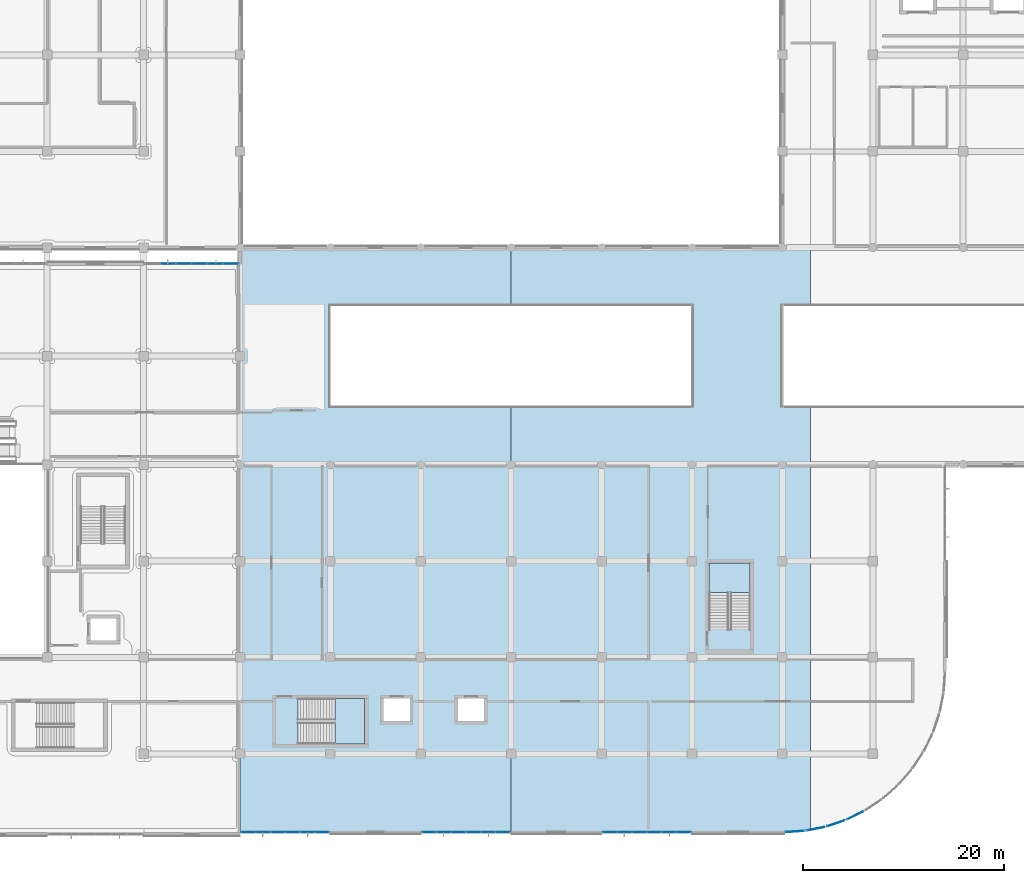
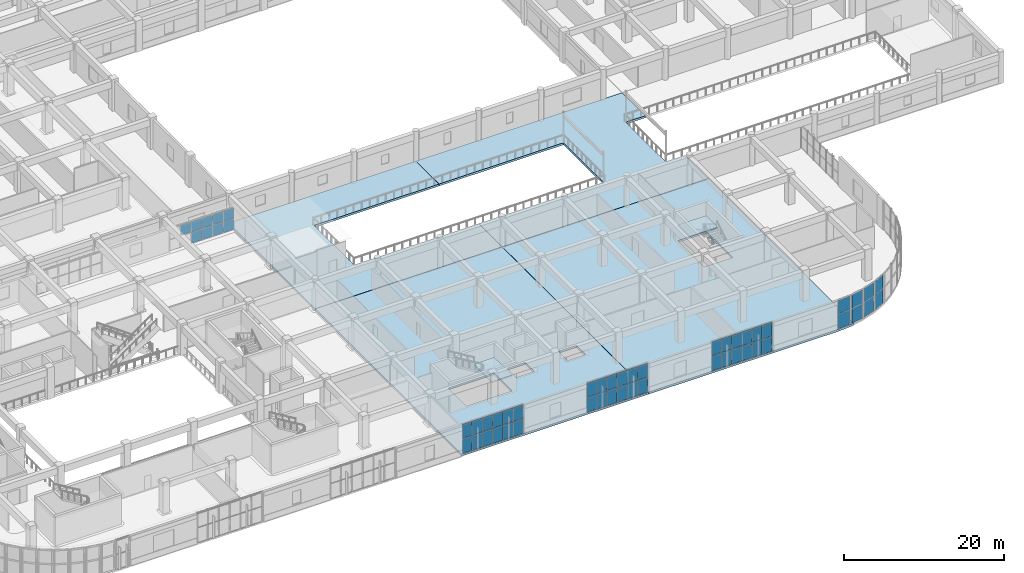
# One storey, part 45 of 86: 53 plates, 6 slabs, 10 elements without a shape of their own.
"""IFC4 building model written with IfcOpenShell, lengths in metres."""

from ifc_helpers import new_model, si_unit, direction, frame, origin, origin_2d, place, context, subcontext, project, spatial, polyline, rectangle, outline, extrude, material, layer, layer_set, type_object, element, aggregate, save


model = new_model("IFC4")

# Units and contexts
model_context = context("Model", 3, precision=1e-05, world=origin(), true_north=direction((0.0, 1.0)))
body_context = subcontext(model_context, "Body", "Model", "MODEL_VIEW")
ifc_project = project(units=[si_unit("LENGTHUNIT", "METRE"), si_unit("AREAUNIT", "SQUARE_METRE"), si_unit("VOLUMEUNIT", "CUBIC_METRE"), si_unit("PLANEANGLEUNIT", "RADIAN"), si_unit("MASSUNIT", "GRAM", prefix="KILO")], contexts=[model_context])

# Site, building, storey
site_placement = place(None, origin())
site = spatial("IfcSite", under=ifc_project, at=site_placement, CompositionType="ELEMENT")
building_placement = place(site_placement, origin())
building = spatial("IfcBuilding", under=site, at=building_placement, Name="Cendralis Terraced Arcade", CompositionType="ELEMENT")
storey_placement = place(building_placement, frame((0.0, 0.0, 5.39990234375)))
storey = spatial("IfcBuildingStorey", under=building, at=storey_placement, Name="L01", CompositionType="ELEMENT", Elevation=5.39990234375)

# Curtain wall, plates
ifc_material_1 = material(Name="Anodised aluminium EN AW-6063 T6", Category="aluminium")
ifc_layer_1 = layer(ifc_material_1, 0.1201171875, Name="CW-STORE-B")
ifc_layer_set_1 = layer_set([ifc_layer_1], Name="Anodised aluminium EN AW-6063 T6")
curtain_wall_type_1 = type_object("IfcCurtainWallType", Name="CW-STORE-B", PredefinedType="USERDEFINED", material=ifc_layer_set_1)
curtain_wall_1_placement = place(storey_placement, origin())
curtain_wall_1 = element("IfcCurtainWall", 1, at=curtain_wall_1_placement, inside=storey, type_object=curtain_wall_type_1, Name="Exterior Storefront Glazing CW-L01-0090", ObjectType="STOREFRONT GLAZING", PredefinedType="USERDEFINED")
ifc_material_2 = material(Name="Tempered solar control laminated glass", Category="glass")
ifc_layer_2 = layer(ifc_material_2, 0.02392578125, Name="CW-STORE-B-PNL")
ifc_layer_set_2 = layer_set([ifc_layer_2], Name="Tempered solar control laminated glass")
plate_type_1 = type_object("IfcPlateType", Name="CW-STORE-B-PNL", PredefinedType="CURTAIN_PANEL", material=ifc_layer_set_2)
plate_1_placement = place(storey_placement, frame((111.361328125, 1.800048828125, 0.05517578125), z_axis=(0.0, 0.0, 1.0), x_axis=(-1.0, 0.0, 0.0)))
plate_1 = element("IfcPlate", 2, at=plate_1_placement, type_object=plate_type_1, Name="CW-S2 panel 1.1", PredefinedType="CURTAIN_PANEL", context=body_context, shape_type="SweptSolid", body=[
    extrude(rectangle(XDim=1.387451171875, YDim=0.02392578125, at=origin_2d()), origin(), (0.0, 0.0, 1.0), 2.260009765625),
])
plate_2_placement = place(storey_placement, frame((111.361328125, 1.800048828125, 2.3701171875), z_axis=(0.0, 0.0, 1.0), x_axis=(-1.0, 0.0, 0.0)))
plate_2 = element("IfcPlate", 3, at=plate_2_placement, type_object=plate_type_1, Name="CW-S2 panel 1.2", PredefinedType="CURTAIN_PANEL", context=body_context, shape_type="SweptSolid", body=[
    extrude(rectangle(XDim=1.387451171875, YDim=0.02392578125, at=origin_2d()), origin(), (0.0, 0.0, 1.0), 2.079833984375),
])
plate_3_placement = place(storey_placement, frame((109.905029296875, 1.800048828125, 0.05517578125), z_axis=(0.0, 0.0, 1.0), x_axis=(-1.0, 0.0, 0.0)))
plate_3 = element("IfcPlate", 4, at=plate_3_placement, type_object=plate_type_1, Name="CW-S2 panel 2.1", PredefinedType="CURTAIN_PANEL", context=body_context, shape_type="SweptSolid", body=[
    extrude(rectangle(XDim=1.4150390625, YDim=0.02392578125, at=origin_2d()), origin(), (0.0, 0.0, 1.0), 2.260009765625),
])
plate_4_placement = place(storey_placement, frame((109.905029296875, 1.800048828125, 2.3701171875), z_axis=(0.0, 0.0, 1.0), x_axis=(-1.0, 0.0, 0.0)))
plate_4 = element("IfcPlate", 5, at=plate_4_placement, type_object=plate_type_1, Name="CW-S2 panel 2.2", PredefinedType="CURTAIN_PANEL", context=body_context, shape_type="SweptSolid", body=[
    extrude(rectangle(XDim=1.4150390625, YDim=0.02392578125, at=origin_2d()), origin(), (0.0, 0.0, 1.0), 2.079833984375),
])
plate_5_placement = place(storey_placement, frame((108.43505859375, 1.800048828125, 0.05517578125), z_axis=(0.0, 0.0, 1.0), x_axis=(-1.0, 0.0, 0.0)))
plate_5 = element("IfcPlate", 6, at=plate_5_placement, type_object=plate_type_1, Name="CW-S2 panel 3.1", PredefinedType="CURTAIN_PANEL", context=body_context, shape_type="SweptSolid", body=[
    extrude(rectangle(XDim=1.4150390625, YDim=0.02392578125, at=origin_2d()), origin(), (0.0, 0.0, 1.0), 2.260009765625),
])
plate_6_placement = place(storey_placement, frame((108.43505859375, 1.800048828125, 2.3701171875), z_axis=(0.0, 0.0, 1.0), x_axis=(-1.0, 0.0, 0.0)))
plate_6 = element("IfcPlate", 7, at=plate_6_placement, type_object=plate_type_1, Name="CW-S2 panel 3.2", PredefinedType="CURTAIN_PANEL", context=body_context, shape_type="SweptSolid", body=[
    extrude(rectangle(XDim=1.4150390625, YDim=0.02392578125, at=origin_2d()), origin(), (0.0, 0.0, 1.0), 2.079833984375),
])
plate_7_placement = place(storey_placement, frame((106.965087890625, 1.800048828125, 0.05517578125), z_axis=(0.0, 0.0, 1.0), x_axis=(-1.0, 0.0, 0.0)))
plate_7 = element("IfcPlate", 8, at=plate_7_placement, type_object=plate_type_1, Name="CW-S2 panel 4.1", PredefinedType="CURTAIN_PANEL", context=body_context, shape_type="SweptSolid", body=[
    extrude(rectangle(XDim=1.4150390625, YDim=0.02392578125, at=origin_2d()), origin(), (0.0, 0.0, 1.0), 2.260009765625),
])
plate_8_placement = place(storey_placement, frame((106.965087890625, 1.800048828125, 2.3701171875), z_axis=(0.0, 0.0, 1.0), x_axis=(-1.0, 0.0, 0.0)))
plate_8 = element("IfcPlate", 9, at=plate_8_placement, type_object=plate_type_1, Name="CW-S2 panel 4.2", PredefinedType="CURTAIN_PANEL", context=body_context, shape_type="SweptSolid", body=[
    extrude(rectangle(XDim=1.4150390625, YDim=0.02392578125, at=origin_2d()), origin(), (0.0, 0.0, 1.0), 2.079833984375),
])
plate_9_placement = place(storey_placement, frame((105.4951171875, 1.800048828125, 0.05517578125), z_axis=(0.0, 0.0, 1.0), x_axis=(-1.0, 0.0, 0.0)))
plate_9 = element("IfcPlate", 10, at=plate_9_placement, type_object=plate_type_1, Name="CW-S2 panel 5.1", PredefinedType="CURTAIN_PANEL", context=body_context, shape_type="SweptSolid", body=[
    extrude(rectangle(XDim=1.4150390625, YDim=0.02392578125, at=origin_2d()), origin(), (0.0, 0.0, 1.0), 2.260009765625),
])
plate_10_placement = place(storey_placement, frame((105.4951171875, 1.800048828125, 2.3701171875), z_axis=(0.0, 0.0, 1.0), x_axis=(-1.0, 0.0, 0.0)))
plate_10 = element("IfcPlate", 11, at=plate_10_placement, type_object=plate_type_1, Name="CW-S2 panel 5.2", PredefinedType="CURTAIN_PANEL", context=body_context, shape_type="SweptSolid", body=[
    extrude(rectangle(XDim=1.4150390625, YDim=0.02392578125, at=origin_2d()), origin(), (0.0, 0.0, 1.0), 2.079833984375),
])
plate_11_placement = place(storey_placement, frame((104.038818359375, 1.800048828125, 0.05517578125), z_axis=(0.0, 0.0, 1.0), x_axis=(-1.0, 0.0, 0.0)))
plate_11 = element("IfcPlate", 12, at=plate_11_placement, type_object=plate_type_1, Name="CW-S2 panel 6.1", PredefinedType="CURTAIN_PANEL", context=body_context, shape_type="SweptSolid", body=[
    extrude(rectangle(XDim=1.387451171875, YDim=0.02392578125, at=origin_2d()), origin(), (0.0, 0.0, 1.0), 2.260009765625),
])
plate_12_placement = place(storey_placement, frame((104.038818359375, 1.800048828125, 2.3701171875), z_axis=(0.0, 0.0, 1.0), x_axis=(-1.0, 0.0, 0.0)))
plate_12 = element("IfcPlate", 13, at=plate_12_placement, type_object=plate_type_1, Name="CW-S2 panel 6.2", PredefinedType="CURTAIN_PANEL", context=body_context, shape_type="SweptSolid", body=[
    extrude(rectangle(XDim=1.387451171875, YDim=0.02392578125, at=origin_2d()), origin(), (0.0, 0.0, 1.0), 2.079833984375),
])
aggregate(curtain_wall_1, [plate_1, plate_2, plate_3, plate_4, plate_5, plate_6, plate_7, plate_8, plate_9, plate_10, plate_11, plate_12])

curtain_wall_2_placement = place(storey_placement, origin())
curtain_wall_2 = element("IfcCurtainWall", 14, at=curtain_wall_2_placement, inside=storey, type_object=curtain_wall_type_1, Name="Exterior Storefront Glazing CW-L01-0091", ObjectType="STOREFRONT GLAZING", PredefinedType="USERDEFINED")
plate_13_placement = place(storey_placement, frame((93.361328125, 1.800048828125, 0.05517578125), z_axis=(0.0, 0.0, 1.0), x_axis=(-1.0, 0.0, 0.0)))
plate_13 = element("IfcPlate", 15, at=plate_13_placement, type_object=plate_type_1, Name="CW-S2 panel 1.1", PredefinedType="CURTAIN_PANEL", context=body_context, shape_type="SweptSolid", body=[
    extrude(rectangle(XDim=1.387451171875, YDim=0.02392578125, at=origin_2d()), origin(), (0.0, 0.0, 1.0), 2.260009765625),
])
plate_14_placement = place(storey_placement, frame((93.361328125, 1.800048828125, 2.3701171875), z_axis=(0.0, 0.0, 1.0), x_axis=(-1.0, 0.0, 0.0)))
plate_14 = element("IfcPlate", 16, at=plate_14_placement, type_object=plate_type_1, Name="CW-S2 panel 1.2", PredefinedType="CURTAIN_PANEL", context=body_context, shape_type="SweptSolid", body=[
    extrude(rectangle(XDim=1.387451171875, YDim=0.02392578125, at=origin_2d()), origin(), (0.0, 0.0, 1.0), 2.079833984375),
])
plate_15_placement = place(storey_placement, frame((91.905029296875, 1.800048828125, 0.05517578125), z_axis=(0.0, 0.0, 1.0), x_axis=(-1.0, 0.0, 0.0)))
plate_15 = element("IfcPlate", 17, at=plate_15_placement, type_object=plate_type_1, Name="CW-S2 panel 2.1", PredefinedType="CURTAIN_PANEL", context=body_context, shape_type="SweptSolid", body=[
    extrude(rectangle(XDim=1.4150390625, YDim=0.02392578125, at=origin_2d()), origin(), (0.0, 0.0, 1.0), 2.260009765625),
])
plate_16_placement = place(storey_placement, frame((91.905029296875, 1.800048828125, 2.3701171875), z_axis=(0.0, 0.0, 1.0), x_axis=(-1.0, 0.0, 0.0)))
plate_16 = element("IfcPlate", 18, at=plate_16_placement, type_object=plate_type_1, Name="CW-S2 panel 2.2", PredefinedType="CURTAIN_PANEL", context=body_context, shape_type="SweptSolid", body=[
    extrude(rectangle(XDim=1.4150390625, YDim=0.02392578125, at=origin_2d()), origin(), (0.0, 0.0, 1.0), 2.079833984375),
])
plate_17_placement = place(storey_placement, frame((90.43505859375, 1.800048828125, 0.05517578125), z_axis=(0.0, 0.0, 1.0), x_axis=(-1.0, 0.0, 0.0)))
plate_17 = element("IfcPlate", 19, at=plate_17_placement, type_object=plate_type_1, Name="CW-S2 panel 3.1", PredefinedType="CURTAIN_PANEL", context=body_context, shape_type="SweptSolid", body=[
    extrude(rectangle(XDim=1.4150390625, YDim=0.02392578125, at=origin_2d()), origin(), (0.0, 0.0, 1.0), 2.260009765625),
])
plate_18_placement = place(storey_placement, frame((90.43505859375, 1.800048828125, 2.3701171875), z_axis=(0.0, 0.0, 1.0), x_axis=(-1.0, 0.0, 0.0)))
plate_18 = element("IfcPlate", 20, at=plate_18_placement, type_object=plate_type_1, Name="CW-S2 panel 3.2", PredefinedType="CURTAIN_PANEL", context=body_context, shape_type="SweptSolid", body=[
    extrude(rectangle(XDim=1.4150390625, YDim=0.02392578125, at=origin_2d()), origin(), (0.0, 0.0, 1.0), 2.079833984375),
])
plate_19_placement = place(storey_placement, frame((88.965087890625, 1.800048828125, 0.05517578125), z_axis=(0.0, 0.0, 1.0), x_axis=(-1.0, 0.0, 0.0)))
plate_19 = element("IfcPlate", 21, at=plate_19_placement, type_object=plate_type_1, Name="CW-S2 panel 4.1", PredefinedType="CURTAIN_PANEL", context=body_context, shape_type="SweptSolid", body=[
    extrude(rectangle(XDim=1.4150390625, YDim=0.02392578125, at=origin_2d()), origin(), (0.0, 0.0, 1.0), 2.260009765625),
])
plate_20_placement = place(storey_placement, frame((88.965087890625, 1.800048828125, 2.3701171875), z_axis=(0.0, 0.0, 1.0), x_axis=(-1.0, 0.0, 0.0)))
plate_20 = element("IfcPlate", 22, at=plate_20_placement, type_object=plate_type_1, Name="CW-S2 panel 4.2", PredefinedType="CURTAIN_PANEL", context=body_context, shape_type="SweptSolid", body=[
    extrude(rectangle(XDim=1.4150390625, YDim=0.02392578125, at=origin_2d()), origin(), (0.0, 0.0, 1.0), 2.079833984375),
])
plate_21_placement = place(storey_placement, frame((87.4951171875, 1.800048828125, 0.05517578125), z_axis=(0.0, 0.0, 1.0), x_axis=(-1.0, 0.0, 0.0)))
plate_21 = element("IfcPlate", 23, at=plate_21_placement, type_object=plate_type_1, Name="CW-S2 panel 5.1", PredefinedType="CURTAIN_PANEL", context=body_context, shape_type="SweptSolid", body=[
    extrude(rectangle(XDim=1.4150390625, YDim=0.02392578125, at=origin_2d()), origin(), (0.0, 0.0, 1.0), 2.260009765625),
])
plate_22_placement = place(storey_placement, frame((87.4951171875, 1.800048828125, 2.3701171875), z_axis=(0.0, 0.0, 1.0), x_axis=(-1.0, 0.0, 0.0)))
plate_22 = element("IfcPlate", 24, at=plate_22_placement, type_object=plate_type_1, Name="CW-S2 panel 5.2", PredefinedType="CURTAIN_PANEL", context=body_context, shape_type="SweptSolid", body=[
    extrude(rectangle(XDim=1.4150390625, YDim=0.02392578125, at=origin_2d()), origin(), (0.0, 0.0, 1.0), 2.079833984375),
])
plate_23_placement = place(storey_placement, frame((86.038818359375, 1.800048828125, 0.05517578125), z_axis=(0.0, 0.0, 1.0), x_axis=(-1.0, 0.0, 0.0)))
plate_23 = element("IfcPlate", 25, at=plate_23_placement, type_object=plate_type_1, Name="CW-S2 panel 6.1", PredefinedType="CURTAIN_PANEL", context=body_context, shape_type="SweptSolid", body=[
    extrude(rectangle(XDim=1.387451171875, YDim=0.02392578125, at=origin_2d()), origin(), (0.0, 0.0, 1.0), 2.260009765625),
])
plate_24_placement = place(storey_placement, frame((86.038818359375, 1.800048828125, 2.3701171875), z_axis=(0.0, 0.0, 1.0), x_axis=(-1.0, 0.0, 0.0)))
plate_24 = element("IfcPlate", 26, at=plate_24_placement, type_object=plate_type_1, Name="CW-S2 panel 6.2", PredefinedType="CURTAIN_PANEL", context=body_context, shape_type="SweptSolid", body=[
    extrude(rectangle(XDim=1.387451171875, YDim=0.02392578125, at=origin_2d()), origin(), (0.0, 0.0, 1.0), 2.079833984375),
])
aggregate(curtain_wall_2, [plate_13, plate_14, plate_15, plate_16, plate_17, plate_18, plate_19, plate_20, plate_21, plate_22, plate_23, plate_24])

curtain_wall_3_placement = place(storey_placement, origin())
curtain_wall_3 = element("IfcCurtainWall", 27, at=curtain_wall_3_placement, inside=storey, type_object=curtain_wall_type_1, Name="Exterior Storefront Glazing CW-L01-0092", ObjectType="STOREFRONT GLAZING", PredefinedType="USERDEFINED")
plate_25_placement = place(storey_placement, frame((75.361328125, 1.800048828125, 0.05517578125), z_axis=(0.0, 0.0, 1.0), x_axis=(-1.0, 0.0, 0.0)))
plate_25 = element("IfcPlate", 28, at=plate_25_placement, type_object=plate_type_1, Name="CW-S2 panel 1.1", PredefinedType="CURTAIN_PANEL", context=body_context, shape_type="SweptSolid", body=[
    extrude(rectangle(XDim=1.387451171875, YDim=0.02392578125, at=origin_2d()), origin(), (0.0, 0.0, 1.0), 2.260009765625),
])
plate_26_placement = place(storey_placement, frame((75.361328125, 1.800048828125, 2.3701171875), z_axis=(0.0, 0.0, 1.0), x_axis=(-1.0, 0.0, 0.0)))
plate_26 = element("IfcPlate", 29, at=plate_26_placement, type_object=plate_type_1, Name="CW-S2 panel 1.2", PredefinedType="CURTAIN_PANEL", context=body_context, shape_type="SweptSolid", body=[
    extrude(rectangle(XDim=1.387451171875, YDim=0.02392578125, at=origin_2d()), origin(), (0.0, 0.0, 1.0), 2.079833984375),
])
plate_27_placement = place(storey_placement, frame((73.905029296875, 1.800048828125, 0.05517578125), z_axis=(0.0, 0.0, 1.0), x_axis=(-1.0, 0.0, 0.0)))
plate_27 = element("IfcPlate", 30, at=plate_27_placement, type_object=plate_type_1, Name="CW-S2 panel 2.1", PredefinedType="CURTAIN_PANEL", context=body_context, shape_type="SweptSolid", body=[
    extrude(rectangle(XDim=1.4150390625, YDim=0.02392578125, at=origin_2d()), origin(), (0.0, 0.0, 1.0), 2.260009765625),
])
plate_28_placement = place(storey_placement, frame((73.905029296875, 1.800048828125, 2.3701171875), z_axis=(0.0, 0.0, 1.0), x_axis=(-1.0, 0.0, 0.0)))
plate_28 = element("IfcPlate", 31, at=plate_28_placement, type_object=plate_type_1, Name="CW-S2 panel 2.2", PredefinedType="CURTAIN_PANEL", context=body_context, shape_type="SweptSolid", body=[
    extrude(rectangle(XDim=1.4150390625, YDim=0.02392578125, at=origin_2d()), origin(), (0.0, 0.0, 1.0), 2.079833984375),
])
plate_29_placement = place(storey_placement, frame((72.43505859375, 1.800048828125, 0.05517578125), z_axis=(0.0, 0.0, 1.0), x_axis=(-1.0, 0.0, 0.0)))
plate_29 = element("IfcPlate", 32, at=plate_29_placement, type_object=plate_type_1, Name="CW-S2 panel 3.1", PredefinedType="CURTAIN_PANEL", context=body_context, shape_type="SweptSolid", body=[
    extrude(rectangle(XDim=1.4150390625, YDim=0.02392578125, at=origin_2d()), origin(), (0.0, 0.0, 1.0), 2.260009765625),
])
plate_30_placement = place(storey_placement, frame((72.43505859375, 1.800048828125, 2.3701171875), z_axis=(0.0, 0.0, 1.0), x_axis=(-1.0, 0.0, 0.0)))
plate_30 = element("IfcPlate", 33, at=plate_30_placement, type_object=plate_type_1, Name="CW-S2 panel 3.2", PredefinedType="CURTAIN_PANEL", context=body_context, shape_type="SweptSolid", body=[
    extrude(rectangle(XDim=1.4150390625, YDim=0.02392578125, at=origin_2d()), origin(), (0.0, 0.0, 1.0), 2.079833984375),
])
plate_31_placement = place(storey_placement, frame((70.965087890625, 1.800048828125, 0.05517578125), z_axis=(0.0, 0.0, 1.0), x_axis=(-1.0, 0.0, 0.0)))
plate_31 = element("IfcPlate", 34, at=plate_31_placement, type_object=plate_type_1, Name="CW-S2 panel 4.1", PredefinedType="CURTAIN_PANEL", context=body_context, shape_type="SweptSolid", body=[
    extrude(rectangle(XDim=1.4150390625, YDim=0.02392578125, at=origin_2d()), origin(), (0.0, 0.0, 1.0), 2.260009765625),
])
plate_32_placement = place(storey_placement, frame((70.965087890625, 1.800048828125, 2.3701171875), z_axis=(0.0, 0.0, 1.0), x_axis=(-1.0, 0.0, 0.0)))
plate_32 = element("IfcPlate", 35, at=plate_32_placement, type_object=plate_type_1, Name="CW-S2 panel 4.2", PredefinedType="CURTAIN_PANEL", context=body_context, shape_type="SweptSolid", body=[
    extrude(rectangle(XDim=1.4150390625, YDim=0.02392578125, at=origin_2d()), origin(), (0.0, 0.0, 1.0), 2.079833984375),
])
plate_33_placement = place(storey_placement, frame((69.4951171875, 1.800048828125, 0.05517578125), z_axis=(0.0, 0.0, 1.0), x_axis=(-1.0, 0.0, 0.0)))
plate_33 = element("IfcPlate", 36, at=plate_33_placement, type_object=plate_type_1, Name="CW-S2 panel 5.1", PredefinedType="CURTAIN_PANEL", context=body_context, shape_type="SweptSolid", body=[
    extrude(rectangle(XDim=1.4150390625, YDim=0.02392578125, at=origin_2d()), origin(), (0.0, 0.0, 1.0), 2.260009765625),
])
plate_34_placement = place(storey_placement, frame((69.4951171875, 1.800048828125, 2.3701171875), z_axis=(0.0, 0.0, 1.0), x_axis=(-1.0, 0.0, 0.0)))
plate_34 = element("IfcPlate", 37, at=plate_34_placement, type_object=plate_type_1, Name="CW-S2 panel 5.2", PredefinedType="CURTAIN_PANEL", context=body_context, shape_type="SweptSolid", body=[
    extrude(rectangle(XDim=1.4150390625, YDim=0.02392578125, at=origin_2d()), origin(), (0.0, 0.0, 1.0), 2.079833984375),
])
plate_35_placement = place(storey_placement, frame((68.038818359375, 1.800048828125, 0.05517578125), z_axis=(0.0, 0.0, 1.0), x_axis=(-1.0, 0.0, 0.0)))
plate_35 = element("IfcPlate", 38, at=plate_35_placement, type_object=plate_type_1, Name="CW-S2 panel 6.1", PredefinedType="CURTAIN_PANEL", context=body_context, shape_type="SweptSolid", body=[
    extrude(rectangle(XDim=1.387451171875, YDim=0.02392578125, at=origin_2d()), origin(), (0.0, 0.0, 1.0), 2.260009765625),
])
plate_36_placement = place(storey_placement, frame((68.038818359375, 1.800048828125, 2.3701171875), z_axis=(0.0, 0.0, 1.0), x_axis=(-1.0, 0.0, 0.0)))
plate_36 = element("IfcPlate", 39, at=plate_36_placement, type_object=plate_type_1, Name="CW-S2 panel 6.2", PredefinedType="CURTAIN_PANEL", context=body_context, shape_type="SweptSolid", body=[
    extrude(rectangle(XDim=1.387451171875, YDim=0.02392578125, at=origin_2d()), origin(), (0.0, 0.0, 1.0), 2.079833984375),
])
aggregate(curtain_wall_3, [plate_25, plate_26, plate_27, plate_28, plate_29, plate_30, plate_31, plate_32, plate_33, plate_34, plate_35, plate_36])

curtain_wall_4_placement = place(storey_placement, origin())
curtain_wall_4 = element("IfcCurtainWall", 40, at=curtain_wall_4_placement, inside=storey, type_object=curtain_wall_type_1, Name="Exterior Storefront Glazing CW-L01-0112", ObjectType="STOREFRONT GLAZING", PredefinedType="USERDEFINED")
plate_37_placement = place(storey_placement, frame((60.044921875, 58.39990234375, 1.81884765625), z_axis=(0.0, 0.0, 1.0), x_axis=(1.0, 0.0, 0.0)))
plate_37 = element("IfcPlate", 41, at=plate_37_placement, type_object=plate_type_1, Name="CW-S2 panel 2.2", PredefinedType="CURTAIN_PANEL", context=body_context, shape_type="SweptSolid", body=[
    extrude(rectangle(XDim=1.514892578125, YDim=0.02392578125, at=origin_2d()), origin(), (0.0, 0.0, 1.0), 1.571044921875),
])
plate_38_placement = place(storey_placement, frame((61.614990234375, 58.39990234375, 0.05517578125), z_axis=(0.0, 0.0, 1.0), x_axis=(1.0, 0.0, 0.0)))
plate_38 = element("IfcPlate", 42, at=plate_38_placement, type_object=plate_type_1, Name="CW-S2 panel 3.1", PredefinedType="CURTAIN_PANEL", context=body_context, shape_type="SweptSolid", body=[
    extrude(rectangle(XDim=1.514892578125, YDim=0.02392578125, at=origin_2d()), origin(), (0.0, 0.0, 1.0), 1.708984375),
])
plate_39_placement = place(storey_placement, frame((61.614990234375, 58.39990234375, 1.81884765625), z_axis=(0.0, 0.0, 1.0), x_axis=(1.0, 0.0, 0.0)))
plate_39 = element("IfcPlate", 43, at=plate_39_placement, type_object=plate_type_1, Name="CW-S2 panel 3.2", PredefinedType="CURTAIN_PANEL", context=body_context, shape_type="SweptSolid", body=[
    extrude(rectangle(XDim=1.514892578125, YDim=0.02392578125, at=origin_2d()), origin(), (0.0, 0.0, 1.0), 1.571044921875),
])
plate_40_placement = place(storey_placement, frame((63.18505859375, 58.39990234375, 0.05517578125), z_axis=(0.0, 0.0, 1.0), x_axis=(1.0, 0.0, 0.0)))
plate_40 = element("IfcPlate", 44, at=plate_40_placement, type_object=plate_type_1, Name="CW-S2 panel 4.1", PredefinedType="CURTAIN_PANEL", context=body_context, shape_type="SweptSolid", body=[
    extrude(rectangle(XDim=1.514892578125, YDim=0.02392578125, at=origin_2d()), origin(), (0.0, 0.0, 1.0), 1.708984375),
])
plate_41_placement = place(storey_placement, frame((63.18505859375, 58.39990234375, 1.81884765625), z_axis=(0.0, 0.0, 1.0), x_axis=(1.0, 0.0, 0.0)))
plate_41 = element("IfcPlate", 45, at=plate_41_placement, type_object=plate_type_1, Name="CW-S2 panel 4.2", PredefinedType="CURTAIN_PANEL", context=body_context, shape_type="SweptSolid", body=[
    extrude(rectangle(XDim=1.514892578125, YDim=0.02392578125, at=origin_2d()), origin(), (0.0, 0.0, 1.0), 1.571044921875),
])
plate_42_placement = place(storey_placement, frame((64.7548828125, 58.39990234375, 0.05517578125), z_axis=(0.0, 0.0, 1.0), x_axis=(1.0, 0.0, 0.0)))
plate_42 = element("IfcPlate", 46, at=plate_42_placement, type_object=plate_type_1, Name="CW-S2 panel 5.1", PredefinedType="CURTAIN_PANEL", context=body_context, shape_type="SweptSolid", body=[
    extrude(rectangle(XDim=1.514892578125, YDim=0.02392578125, at=origin_2d()), origin(), (0.0, 0.0, 1.0), 1.708984375),
])
plate_43_placement = place(storey_placement, frame((64.7548828125, 58.39990234375, 1.81884765625), z_axis=(0.0, 0.0, 1.0), x_axis=(1.0, 0.0, 0.0)))
plate_43 = element("IfcPlate", 47, at=plate_43_placement, type_object=plate_type_1, Name="CW-S2 panel 5.2", PredefinedType="CURTAIN_PANEL", context=body_context, shape_type="SweptSolid", body=[
    extrude(rectangle(XDim=1.514892578125, YDim=0.02392578125, at=origin_2d()), origin(), (0.0, 0.0, 1.0), 1.571044921875),
])
plate_44_placement = place(storey_placement, frame((66.311279296875, 58.39990234375, 0.05517578125), z_axis=(0.0, 0.0, 1.0), x_axis=(1.0, 0.0, 0.0)))
plate_44 = element("IfcPlate", 48, at=plate_44_placement, type_object=plate_type_1, Name="CW-S2 panel 6.1", PredefinedType="CURTAIN_PANEL", context=body_context, shape_type="SweptSolid", body=[
    extrude(rectangle(XDim=1.487548828125, YDim=0.02392578125, at=origin_2d()), origin(), (0.0, 0.0, 1.0), 1.708984375),
])
plate_45_placement = place(storey_placement, frame((66.311279296875, 58.39990234375, 1.81884765625), z_axis=(0.0, 0.0, 1.0), x_axis=(1.0, 0.0, 0.0)))
plate_45 = element("IfcPlate", 49, at=plate_45_placement, type_object=plate_type_1, Name="CW-S2 panel 6.2", PredefinedType="CURTAIN_PANEL", context=body_context, shape_type="SweptSolid", body=[
    extrude(rectangle(XDim=1.487548828125, YDim=0.02392578125, at=origin_2d()), origin(), (0.0, 0.0, 1.0), 1.571044921875),
])
aggregate(curtain_wall_4, [plate_37, plate_38, plate_39, plate_40, plate_41, plate_42, plate_43, plate_44, plate_45])

ifc_layer_3 = layer(ifc_material_1, 0.179931640625, Name="CW-UNIT-A")
ifc_layer_set_3 = layer_set([ifc_layer_3], Name="Anodised aluminium EN AW-6063 T6")
curtain_wall_type_2 = type_object("IfcCurtainWallType", Name="CW-UNIT-A", PredefinedType="USERDEFINED", material=ifc_layer_set_3)
curtain_wall_5_placement = place(storey_placement, origin())
curtain_wall_5 = element("IfcCurtainWall", 50, at=curtain_wall_5_placement, inside=storey, type_object=curtain_wall_type_2, Name="Exterior Unitised Facade CW-L01-0086", ObjectType="UNITISED FACADE", PredefinedType="USERDEFINED")
ifc_layer_4 = layer(ifc_material_2, 0.035888671875, Name="CW-UNIT-A-PNL")
ifc_layer_set_4 = layer_set([ifc_layer_4], Name="Tempered solar control laminated glass")
plate_type_2 = type_object("IfcPlateType", Name="CW-UNIT-A-PNL", PredefinedType="CURTAIN_PANEL", material=ifc_layer_set_4)
plate_46_placement = place(storey_placement, frame((128.46142578125, 3.480712890625, 0.065185546875), z_axis=(0.0, 0.0, 1.0), x_axis=(-0.896870586522, -0.442293060122, 0.0)))
plate_46 = element("IfcPlate", 51, at=plate_46_placement, type_object=plate_type_2, Name="CW-U1 panel 1.1", PredefinedType="CURTAIN_PANEL", context=body_context, shape_type="SweptSolid", body=[
    extrude(rectangle(XDim=1.782958984375, YDim=0.035888671875, at=origin_2d()), origin(), (0.0, 0.0, 1.0), 2.2451171875),
])
plate_47_placement = place(storey_placement, frame((128.46142578125, 3.480712890625, 2.375244140625), z_axis=(0.0, 0.0, 1.0), x_axis=(-0.896870586522, -0.442293060122, 0.0)))
plate_47 = element("IfcPlate", 52, at=plate_47_placement, type_object=plate_type_2, Name="CW-U1 panel 1.2", PredefinedType="CURTAIN_PANEL", context=body_context, shape_type="SweptSolid", body=[
    extrude(rectangle(XDim=1.782958984375, YDim=0.035888671875, at=origin_2d()), origin(), (0.0, 0.0, 1.0), 2.06494140625),
])
aggregate(curtain_wall_5, [plate_46, plate_47])

curtain_wall_6_placement = place(storey_placement, origin())
curtain_wall_6 = element("IfcCurtainWall", 53, at=curtain_wall_6_placement, inside=storey, type_object=curtain_wall_type_2, Name="Exterior Unitised Facade CW-L01-0087", ObjectType="UNITISED FACADE", PredefinedType="USERDEFINED")
plate_48_placement = place(storey_placement, frame((126.531982421875, 2.681640625, 0.065185546875), z_axis=(0.0, 0.0, 1.0), x_axis=(-0.94692813167, -0.321445350645, 0.0)))
plate_48 = element("IfcPlate", 54, at=plate_48_placement, type_object=plate_type_2, Name="CW-U1 panel 1.1", PredefinedType="CURTAIN_PANEL", context=body_context, shape_type="SweptSolid", body=[
    extrude(rectangle(XDim=1.782958984375, YDim=0.035888671875, at=origin_2d()), origin(), (0.0, 0.0, 1.0), 2.2451171875),
])
plate_49_placement = place(storey_placement, frame((126.531982421875, 2.681640625, 2.375244140625), z_axis=(0.0, 0.0, 1.0), x_axis=(-0.94692813167, -0.321445350645, 0.0)))
plate_49 = element("IfcPlate", 55, at=plate_49_placement, type_object=plate_type_2, Name="CW-U1 panel 1.2", PredefinedType="CURTAIN_PANEL", context=body_context, shape_type="SweptSolid", body=[
    extrude(rectangle(XDim=1.782958984375, YDim=0.035888671875, at=origin_2d()), origin(), (0.0, 0.0, 1.0), 2.06494140625),
])
aggregate(curtain_wall_6, [plate_48, plate_49])

curtain_wall_7_placement = place(storey_placement, origin())
curtain_wall_7 = element("IfcCurtainWall", 56, at=curtain_wall_7_placement, inside=storey, type_object=curtain_wall_type_2, Name="Exterior Unitised Facade CW-L01-0088", ObjectType="UNITISED FACADE", PredefinedType="USERDEFINED")
plate_50_placement = place(storey_placement, frame((124.5146484375, 2.14111328125, 0.065185546875), z_axis=(0.0, 0.0, 1.0), x_axis=(-0.980793231232, -0.195050346244, 0.0)))
plate_50 = element("IfcPlate", 57, at=plate_50_placement, type_object=plate_type_2, Name="CW-U1 panel 1.1", PredefinedType="CURTAIN_PANEL", context=body_context, shape_type="SweptSolid", body=[
    extrude(rectangle(XDim=1.782958984375, YDim=0.035888671875, at=origin_2d()), origin(), (0.0, 0.0, 1.0), 2.2451171875),
])
plate_51_placement = place(storey_placement, frame((124.5146484375, 2.14111328125, 2.375244140625), z_axis=(0.0, 0.0, 1.0), x_axis=(-0.980793231232, -0.195050346244, 0.0)))
plate_51 = element("IfcPlate", 58, at=plate_51_placement, type_object=plate_type_2, Name="CW-U1 panel 1.2", PredefinedType="CURTAIN_PANEL", context=body_context, shape_type="SweptSolid", body=[
    extrude(rectangle(XDim=1.782958984375, YDim=0.035888671875, at=origin_2d()), origin(), (0.0, 0.0, 1.0), 2.06494140625),
])
aggregate(curtain_wall_7, [plate_50, plate_51])

curtain_wall_8_placement = place(storey_placement, origin())
curtain_wall_8 = element("IfcCurtainWall", 59, at=curtain_wall_8_placement, inside=storey, type_object=curtain_wall_type_2, Name="Exterior Unitised Facade CW-L01-0089", ObjectType="UNITISED FACADE", PredefinedType="USERDEFINED")
plate_52_placement = place(storey_placement, frame((122.444091796875, 1.868408203125, 0.065185546875), z_axis=(0.0, 0.0, 1.0), x_axis=(-0.997859242629, -0.065398256097, 0.0)))
plate_52 = element("IfcPlate", 60, at=plate_52_placement, type_object=plate_type_2, Name="CW-U1 panel 1.1", PredefinedType="CURTAIN_PANEL", context=body_context, shape_type="SweptSolid", body=[
    extrude(rectangle(XDim=1.782958984375, YDim=0.035888671875, at=origin_2d()), origin(), (0.0, 0.0, 1.0), 2.2451171875),
])
plate_53_placement = place(storey_placement, frame((122.444091796875, 1.868408203125, 2.375244140625), z_axis=(0.0, 0.0, 1.0), x_axis=(-0.997859242629, -0.065398256097, 0.0)))
plate_53 = element("IfcPlate", 61, at=plate_53_placement, type_object=plate_type_2, Name="CW-U1 panel 1.2", PredefinedType="CURTAIN_PANEL", context=body_context, shape_type="SweptSolid", body=[
    extrude(rectangle(XDim=1.782958984375, YDim=0.035888671875, at=origin_2d()), origin(), (0.0, 0.0, 1.0), 2.06494140625),
])
aggregate(curtain_wall_8, [plate_52, plate_53])

# Slabs
ifc_material_3 = material(Name="Concrete f'c 35 MPa", Category="concrete")
ifc_layer_5 = layer(ifc_material_3, 0.31005859375, Name="SLB-L01-310")
ifc_layer_set_5 = layer_set([ifc_layer_5], Name="Concrete f'c 35 MPa")
slab_type_1 = type_object("IfcSlabType", Name="SLB-L01-310", PredefinedType="FLOOR", material=ifc_layer_set_5)
slab_1_placement = place(storey_placement, frame((0.0, 0.0, -0.309814453125)))
element("IfcSlab", 62, at=slab_1_placement, inside=storey, type_object=slab_type_1, Name="Reinforced Concrete Floor Slab SLB-L01-V2-C1-1", PredefinedType="FLOOR", context=body_context, shape_type="SweptSolid", body=[
    extrude(outline(polyline([(94.199951171875, 54.199951171875), (76.199951171875, 54.199951171875), (76.199951171875, 44.199951171875), (94.199951171875, 44.199951171875), (94.199951171875, 38.39990234375), (67.219970703125, 38.39990234375), (67.199951171875, 60.0), (94.199951171875, 60.0), (94.199951171875, 54.199951171875)])), origin(), (0.0, 0.0, 1.0), 0.309814453125),
])
slab_2_placement = place(storey_placement, frame((0.0, 0.0, -0.309814453125)))
element("IfcSlab", 63, at=slab_2_placement, inside=storey, type_object=slab_type_1, Name="Reinforced Concrete Floor Slab SLB-L01-V2-C2-1", PredefinedType="FLOOR", context=body_context, shape_type="SweptSolid", body=[
    extrude(outline(polyline([(121.199951171875, 54.199951171875), (121.199951171875, 44.199951171875), (124.0, 44.199951171875), (124.0, 38.39990234375), (94.219970703125, 38.39990234375), (94.219970703125, 44.199951171875), (112.199951171875, 44.199951171875), (112.199951171875, 54.199951171875), (94.219970703125, 54.199951171875), (94.219970703125, 60.0), (124.0, 60.0), (124.0, 54.199951171875), (121.199951171875, 54.199951171875)])), origin(), (0.0, 0.0, 1.0), 0.309814453125),
])
slab_3_placement = place(storey_placement, frame((0.0, 0.0, -0.309814453125)))
element("IfcSlab", 64, at=slab_3_placement, inside=storey, type_object=slab_type_1, Name="Reinforced Concrete Floor Slab SLB-L01-V4-C1-1", PredefinedType="FLOOR", context=body_context, shape_type="SweptSolid", body=[
    extrude(outline(polyline([(94.199951171875, 1.800048828125), (67.219970703125, 1.800048828125), (67.219970703125, 38.3798828125), (94.199951171875, 38.3798828125), (94.199951171875, 1.800048828125)]), holes=[polyline([(79.60009765625, 15.10009765625), (72.97998046875, 15.10009765625), (72.97998046875, 10.60009765625), (79.60009765625, 10.60009765625), (79.60009765625, 15.10009765625)]), polyline([(84.10009765625, 15.125), (81.5, 15.125), (81.5, 12.875), (84.10009765625, 12.875), (84.10009765625, 15.125)]), polyline([(91.5, 15.125), (88.89990234375, 15.125), (88.89990234375, 12.875), (91.5, 12.875), (91.5, 15.125)])]), origin(), (0.0, 0.0, 1.0), 0.309814453125),
])
slab_4_placement = place(storey_placement, frame((0.0, 0.0, -0.309814453125)))
element("IfcSlab", 65, at=slab_4_placement, inside=storey, type_object=slab_type_1, Name="Reinforced Concrete Floor Slab SLB-L01-V4-C2-1", PredefinedType="FLOOR", context=body_context, shape_type="SweptSolid", body=[
    extrude(outline(polyline([(123.48828125, 1.93701171875), (121.39990234375, 1.800048828125), (94.219970703125, 1.800048828125), (94.219970703125, 38.3798828125), (124.0, 38.3798828125), (124.0, 2.038818359375), (123.48828125, 1.93701171875)]), holes=[polyline([(118.0, 28.60009765625), (113.89990234375, 28.60009765625), (113.89990234375, 21.97998046875), (118.0, 21.97998046875), (118.0, 28.60009765625)])]), origin(), (0.0, 0.0, 1.0), 0.309814453125),
])

# Stair, slab
stair_type_1 = type_object("IfcStairType", Name="STR-W215-H480", PredefinedType="HALF_TURN_STAIR", material=ifc_material_3)
stair_1_placement = place(storey_placement, origin())
stair_1 = element("IfcStair", 66, at=stair_1_placement, inside=storey, type_object=stair_type_1, Name="L01 Protected Exit Stair ST-08", PredefinedType="HALF_TURN_STAIR")
ifc_layer_6 = layer(ifc_material_3, 0.199951171875, Name="SLB-STAIR-LND-200")
ifc_layer_set_6 = layer_set([ifc_layer_6], Name="Concrete f'c 35 MPa")
slab_type_2 = type_object("IfcSlabType", Name="SLB-STAIR-LND-200", PredefinedType="LANDING", material=ifc_layer_set_6)
slab_5_placement = place(storey_placement, frame((0.0, 0.0, 2.2001953125)))
slab_5 = element("IfcSlab", 67, at=slab_5_placement, type_object=slab_type_2, Name="ST-08 landing 1", PredefinedType="LANDING", context=body_context, shape_type="SweptSolid", body=[
    extrude(outline(polyline([(76.655029296875, 10.60009765625), (79.60009765625, 10.60009765625), (79.60009765625, 15.10009765625), (76.655029296875, 15.10009765625), (76.655029296875, 10.60009765625)])), origin(), (0.0, 0.0, 1.0), 0.199951171875),
])
aggregate(stair_1, [slab_5])

stair_type_2 = type_object("IfcStairType", Name="STR-W195-H480", PredefinedType="HALF_TURN_STAIR", material=ifc_material_3)
stair_2_placement = place(storey_placement, origin())
stair_2 = element("IfcStair", 68, at=stair_2_placement, inside=storey, type_object=stair_type_2, Name="L01 Protected Exit Stair ST-09", PredefinedType="HALF_TURN_STAIR")
slab_6_placement = place(storey_placement, frame((0.0, 0.0, 2.2001953125)))
slab_6 = element("IfcSlab", 69, at=slab_6_placement, type_object=slab_type_2, Name="ST-09 landing 1", PredefinedType="LANDING", context=body_context, shape_type="SweptSolid", body=[
    extrude(outline(polyline([(118.0, 25.655029296875), (118.0, 28.60009765625), (113.89990234375, 28.60009765625), (113.89990234375, 25.655029296875), (118.0, 25.655029296875)])), origin(), (0.0, 0.0, 1.0), 0.199951171875),
])
aggregate(stair_2, [slab_6])

save(model, "model.ifc")
